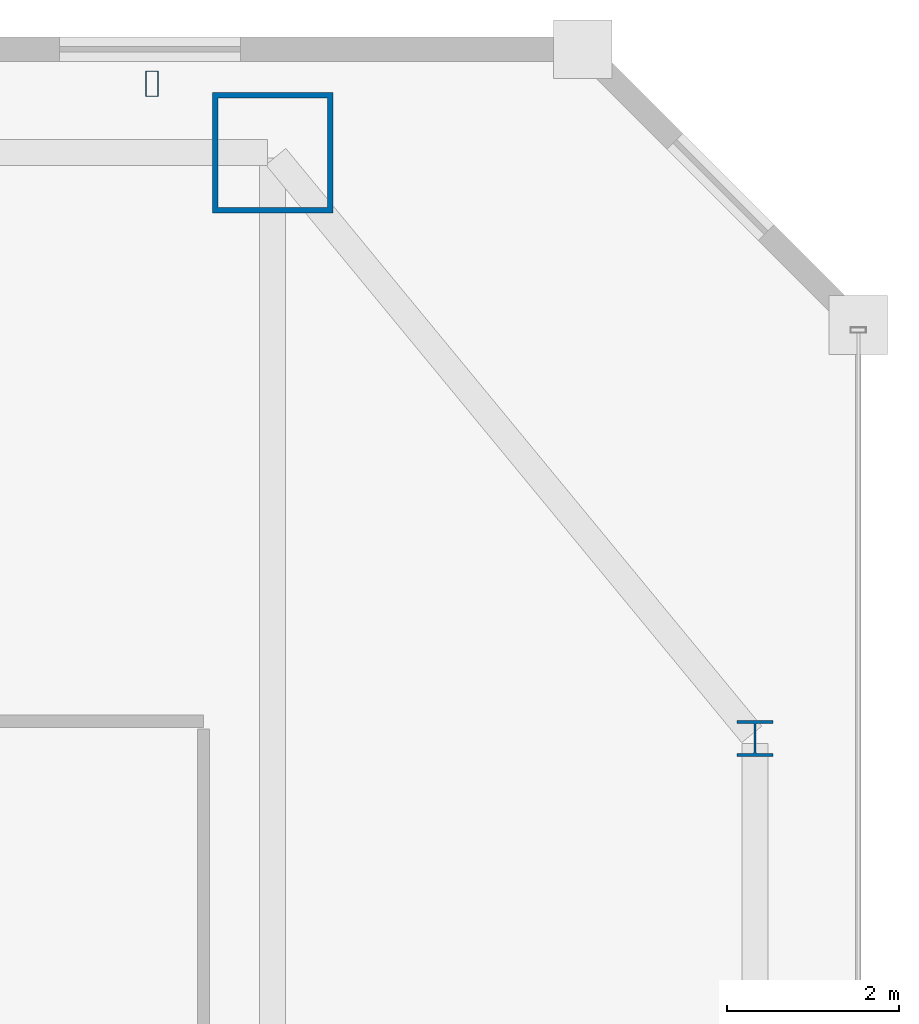
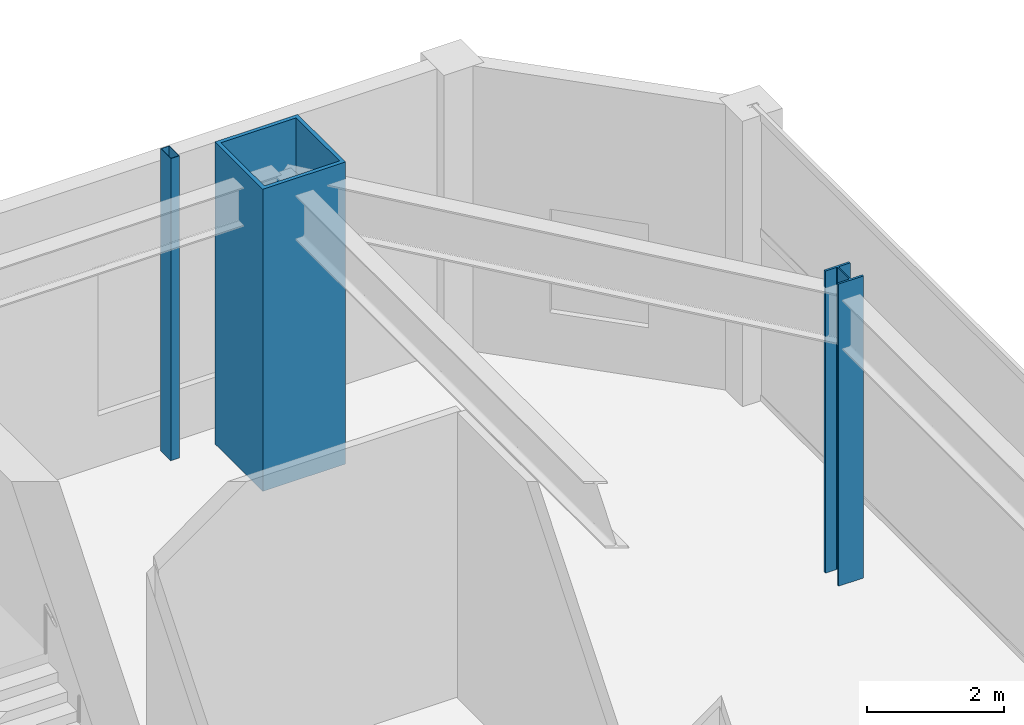
# One storey, part 5 of 52: 3 columns.
"""IFC4 building model written with IfcOpenShell, lengths in metres."""

from ifc_helpers import new_model, si_unit, direction, frame, origin, origin_2d, place, context, subcontext, project, spatial, hollow_rectangle, i_section, extrude, material, material_profile, profile_set, type_object, element, save


model = new_model("IFC4")

# Units and contexts
model_context = context("Model", 3, precision=1e-05, world=origin(), true_north=direction((0.0, 1.0)))
body_context = subcontext(model_context, "Body", "Model", "MODEL_VIEW")
ifc_project = project(units=[si_unit("LENGTHUNIT", "METRE"), si_unit("AREAUNIT", "SQUARE_METRE"), si_unit("VOLUMEUNIT", "CUBIC_METRE"), si_unit("PLANEANGLEUNIT", "RADIAN"), si_unit("MASSUNIT", "GRAM", prefix="KILO")], contexts=[model_context])

# Site, building, storey
site_placement = place(None, origin())
site = spatial("IfcSite", under=ifc_project, at=site_placement, CompositionType="ELEMENT")
building_placement = place(site_placement, origin())
building = spatial("IfcBuilding", under=site, at=building_placement, Name="Saevonmaru Cultural Tower", CompositionType="ELEMENT")
storey_placement = place(building_placement, frame((0.0, 0.0, 16.800048828125)))
storey = spatial("IfcBuildingStorey", under=building, at=storey_placement, Name="L03", CompositionType="ELEMENT", Elevation=16.800048828125)

# Columns
ifc_material_1 = material(Name="Steel HSA600 (600 MPa)", Category="steel")
ifc_material_profile_1 = material_profile(ifc_material_1, hollow_rectangle(XDim=1.39990234375, YDim=1.39990234375, WallThickness=0.06494140625, at=origin_2d()), Name="BOX-1400x1400x65")
ifc_profile_set_1 = profile_set([ifc_material_profile_1], Name="Steel HSA600 (600 MPa)")
column_type_1 = type_object("IfcColumnType", Name="COL-BOX-1400", PredefinedType="COLUMN", material=ifc_profile_set_1)
column_1_placement = place(storey_placement, frame((53.199951171875, 54.800048828125, 0.0), z_axis=(0.0, 0.0, 1.0), x_axis=(1.0, 0.0, 0.0)))
element("IfcColumn", 1, at=column_1_placement, inside=storey, type_object=column_type_1, Name="L03 Column TC-N6N", PredefinedType="COLUMN", context=body_context, shape_type="SweptSolid", body=[
    extrude(hollow_rectangle(XDim=1.39990234375, YDim=1.39990234375, WallThickness=0.06494140625, at=origin_2d()), origin(), (0.0, 0.0, 1.0), 5.39990234375),
])
ifc_material_2 = material(Name="Steel SM420", Category="steel")
ifc_material_profile_2 = material_profile(ifc_material_2, i_section(OverallWidth=0.419921875, OverallDepth=0.419921875, WebThickness=0.02001953125, FlangeThickness=0.034912109375, FilletRadius=0.02197265625, at=origin_2d()), Name="H-428x407x20x35")
ifc_profile_set_2 = profile_set([ifc_material_profile_2], Name="Steel SM420")
column_type_2 = type_object("IfcColumnType", Name="COL-H-428", PredefinedType="COLUMN", material=ifc_profile_set_2)
column_2_placement = place(storey_placement, frame((58.800048828125, 48.0, 0.0), z_axis=(0.0, 0.0, 1.0), x_axis=(1.0, 0.0, 0.0)))
element("IfcColumn", 2, at=column_2_placement, inside=storey, type_object=column_type_2, Name="L03 Column PC-PE-G", PredefinedType="COLUMN", context=body_context, shape_type="SweptSolid", body=[
    extrude(i_section(OverallWidth=0.419921875, OverallDepth=0.419921875, WebThickness=0.02001953125, FlangeThickness=0.034912109375, FilletRadius=0.02197265625, at=origin_2d()), origin(), (0.0, 0.0, 1.0), 5.39990234375),
])
ifc_material_3 = material(Name="Steel SM355", Category="steel")
ifc_material_profile_3 = material_profile(ifc_material_3, hollow_rectangle(XDim=0.14990234375, YDim=0.300048828125, WallThickness=0.010009765625, at=origin_2d()), Name="RHS-300x150x10")
ifc_profile_set_3 = profile_set([ifc_material_profile_3], Name="Steel SM355")
column_type_3 = type_object("IfcColumnType", Name="PIL-RHS-300", PredefinedType="PILASTER", material=ifc_profile_set_3)
column_3_placement = place(storey_placement, frame((51.800048828125, 55.60009765625, 0.0), z_axis=(0.0, 0.0, 1.0), x_axis=(1.0, 0.0, 0.0)))
element("IfcColumn", 3, at=column_3_placement, inside=storey, type_object=column_type_3, Name="L03 Art Deco Bronze-Clad Pilaster PIL-NE", PredefinedType="PILASTER", context=body_context, shape_type="SweptSolid", body=[
    extrude(hollow_rectangle(XDim=0.14990234375, YDim=0.300048828125, WallThickness=0.010009765625, at=origin_2d()), origin(), (0.0, 0.0, 1.0), 5.39990234375),
])

save(model, "model.ifc")
